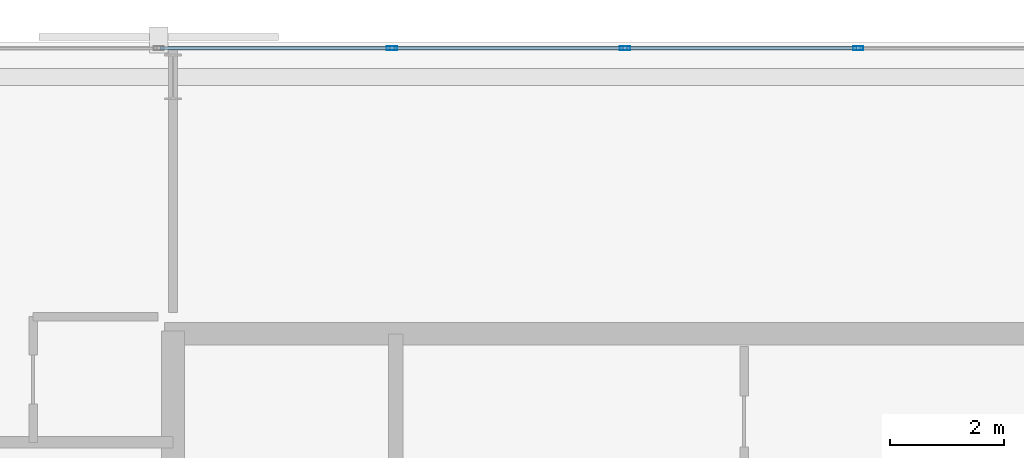
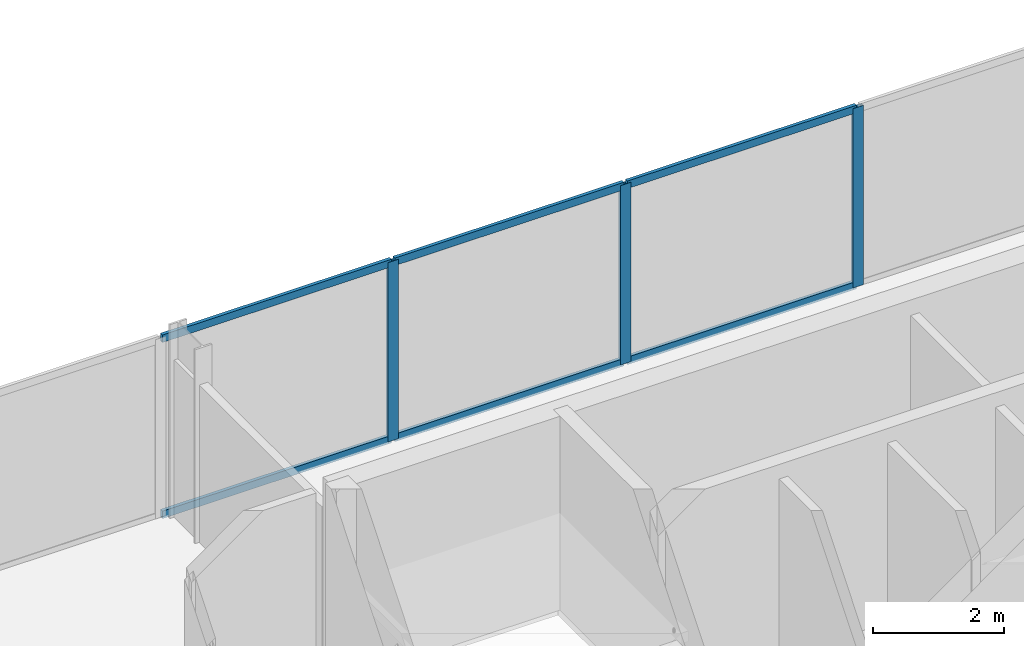
# One storey, part 22 of 32: 9 members, 1 element without a shape of its own.
"""IFC4 building model written with IfcOpenShell, lengths in metres."""

from ifc_helpers import new_model, si_unit, direction, frame, origin, origin_2d, place, context, subcontext, project, spatial, hollow_rectangle, extrude, material, layer, layer_set, material_profile, profile_set, type_object, element, aggregate, save


model = new_model("IFC4")

# Units and contexts
model_context = context("Model", 3, precision=1e-05, world=origin(), true_north=direction((0.0, 1.0)))
body_context = subcontext(model_context, "Body", "Model", "MODEL_VIEW")
ifc_project = project(units=[si_unit("LENGTHUNIT", "METRE"), si_unit("AREAUNIT", "SQUARE_METRE"), si_unit("VOLUMEUNIT", "CUBIC_METRE"), si_unit("PLANEANGLEUNIT", "RADIAN"), si_unit("MASSUNIT", "GRAM", prefix="KILO")], contexts=[model_context])

# Site, building, storey
site_placement = place(None, origin())
site = spatial("IfcSite", under=ifc_project, at=site_placement, CompositionType="ELEMENT")
building_placement = place(site_placement, origin())
building = spatial("IfcBuilding", under=site, at=building_placement, Name="Catumbela Crestline Tower", CompositionType="ELEMENT")
storey_placement = place(building_placement, frame((0.0, 0.0, 65.4)))
storey = spatial("IfcBuildingStorey", under=building, at=storey_placement, Name="L16", CompositionType="ELEMENT", Elevation=65.4)

# Curtain wall, members
ifc_material = material(Name="Aluminium alloy AW-6060-T66", Category="aluminium")
ifc_layer = layer(ifc_material, 0.18, Name="Aluminium alloy AW-6060-T66")
ifc_layer_set = layer_set([ifc_layer], Name="Aluminium alloy AW-6060-T66")
curtain_wall_type = type_object("IfcCurtainWallType", Name="CWU-Z1", PredefinedType="USERDEFINED", material=ifc_layer_set)
curtain_wall_placement = place(storey_placement, origin())
curtain_wall = element("IfcCurtainWall", 1, at=curtain_wall_placement, inside=storey, type_object=curtain_wall_type, Name="L16 Unitised Curtain Wall CW-L16-E7S1", ObjectType="UNITISED", PredefinedType="USERDEFINED")
ifc_material_profile_1 = material_profile(ifc_material, hollow_rectangle(XDim=0.065, YDim=0.18, WallThickness=0.004, at=origin_2d()), Name="ALU 180x65x4")
ifc_profile_set_1 = profile_set([ifc_material_profile_1], Name="Aluminium alloy AW-6060-T66")
member_type_1 = type_object("IfcMemberType", Name="MUL-180X65", PredefinedType="MULLION", material=ifc_profile_set_1)
member_1_placement = place(storey_placement, frame((28.0, 47.9, 0.0), z_axis=(0.0, 0.0, 1.0), x_axis=(0.0, -1.0, 0.0)))
member_1 = element("IfcMember", 2, at=member_1_placement, type_object=member_type_1, Name="CWU-Z1 mullion 7", PredefinedType="MULLION", context=body_context, shape_type="SweptSolid", body=[
    extrude(hollow_rectangle(XDim=0.065, YDim=0.18, WallThickness=0.004, at=origin_2d()), origin(), (0.0, 0.0, 1.0), 3.33),
])
member_2_placement = place(storey_placement, frame((23.9167, 47.9, 0.0), z_axis=(0.0, 0.0, 1.0), x_axis=(0.0, -1.0, 0.0)))
member_2 = element("IfcMember", 3, at=member_2_placement, type_object=member_type_1, Name="CWU-Z1 mullion 8", PredefinedType="MULLION", context=body_context, shape_type="SweptSolid", body=[
    extrude(hollow_rectangle(XDim=0.065, YDim=0.18, WallThickness=0.004, at=origin_2d()), origin(), (0.0, 0.0, 1.0), 3.33),
])
member_3_placement = place(storey_placement, frame((19.8333, 47.9, 0.0), z_axis=(0.0, 0.0, 1.0), x_axis=(0.0, -1.0, 0.0)))
member_3 = element("IfcMember", 4, at=member_3_placement, type_object=member_type_1, Name="CWU-Z1 mullion 9", PredefinedType="MULLION", context=body_context, shape_type="SweptSolid", body=[
    extrude(hollow_rectangle(XDim=0.065, YDim=0.18, WallThickness=0.004, at=origin_2d()), origin(), (0.0, 0.0, 1.0), 3.33),
])
ifc_material_profile_2 = material_profile(ifc_material, hollow_rectangle(XDim=0.06, YDim=0.14, WallThickness=0.004, at=origin_2d()), Name="ALU 140x60x4")
ifc_profile_set_2 = profile_set([ifc_material_profile_2], Name="Aluminium alloy AW-6060-T66")
member_type_2 = type_object("IfcMemberType", Name="TRN-140X60", PredefinedType="USERDEFINED", material=ifc_profile_set_2)
member_4_placement = place(storey_placement, frame((27.9675, 47.9, 0.03), z_axis=(-1.0, 0.0, 0.0), x_axis=(0.0, -1.0, 0.0)))
member_4 = element("IfcMember", 5, at=member_4_placement, type_object=member_type_2, Name="CWU-Z1 transom 7.1", ObjectType="TRANSOM", PredefinedType="USERDEFINED", context=body_context, shape_type="SweptSolid", body=[
    extrude(hollow_rectangle(XDim=0.06, YDim=0.14, WallThickness=0.004, at=origin_2d()), origin(), (0.0, 0.0, 1.0), 4.0183),
])
member_5_placement = place(storey_placement, frame((27.9675, 47.9, 3.3), z_axis=(-1.0, 0.0, 0.0), x_axis=(0.0, -1.0, 0.0)))
member_5 = element("IfcMember", 6, at=member_5_placement, type_object=member_type_2, Name="CWU-Z1 transom 7.2", ObjectType="TRANSOM", PredefinedType="USERDEFINED", context=body_context, shape_type="SweptSolid", body=[
    extrude(hollow_rectangle(XDim=0.06, YDim=0.14, WallThickness=0.004, at=origin_2d()), origin(), (0.0, 0.0, 1.0), 4.0183),
])
member_6_placement = place(storey_placement, frame((23.8842, 47.9, 0.03), z_axis=(-1.0, 0.0, 0.0), x_axis=(0.0, -1.0, 0.0)))
member_6 = element("IfcMember", 7, at=member_6_placement, type_object=member_type_2, Name="CWU-Z1 transom 8.1", ObjectType="TRANSOM", PredefinedType="USERDEFINED", context=body_context, shape_type="SweptSolid", body=[
    extrude(hollow_rectangle(XDim=0.06, YDim=0.14, WallThickness=0.004, at=origin_2d()), origin(), (0.0, 0.0, 1.0), 4.0184),
])
member_7_placement = place(storey_placement, frame((23.8842, 47.9, 3.3), z_axis=(-1.0, 0.0, 0.0), x_axis=(0.0, -1.0, 0.0)))
member_7 = element("IfcMember", 8, at=member_7_placement, type_object=member_type_2, Name="CWU-Z1 transom 8.2", ObjectType="TRANSOM", PredefinedType="USERDEFINED", context=body_context, shape_type="SweptSolid", body=[
    extrude(hollow_rectangle(XDim=0.06, YDim=0.14, WallThickness=0.004, at=origin_2d()), origin(), (0.0, 0.0, 1.0), 4.0184),
])
member_8_placement = place(storey_placement, frame((19.8008, 47.9, 0.03), z_axis=(-1.0, 0.0, 0.0), x_axis=(0.0, -1.0, 0.0)))
member_8 = element("IfcMember", 9, at=member_8_placement, type_object=member_type_2, Name="CWU-Z1 transom 9.1", ObjectType="TRANSOM", PredefinedType="USERDEFINED", context=body_context, shape_type="SweptSolid", body=[
    extrude(hollow_rectangle(XDim=0.06, YDim=0.14, WallThickness=0.004, at=origin_2d()), origin(), (0.0, 0.0, 1.0), 4.0183),
])
member_9_placement = place(storey_placement, frame((19.8008, 47.9, 3.3), z_axis=(-1.0, 0.0, 0.0), x_axis=(0.0, -1.0, 0.0)))
member_9 = element("IfcMember", 10, at=member_9_placement, type_object=member_type_2, Name="CWU-Z1 transom 9.2", ObjectType="TRANSOM", PredefinedType="USERDEFINED", context=body_context, shape_type="SweptSolid", body=[
    extrude(hollow_rectangle(XDim=0.06, YDim=0.14, WallThickness=0.004, at=origin_2d()), origin(), (0.0, 0.0, 1.0), 4.0183),
])
aggregate(curtain_wall, [member_1, member_2, member_3, member_4, member_5, member_6, member_7, member_8, member_9])

save(model, "model.ifc")
